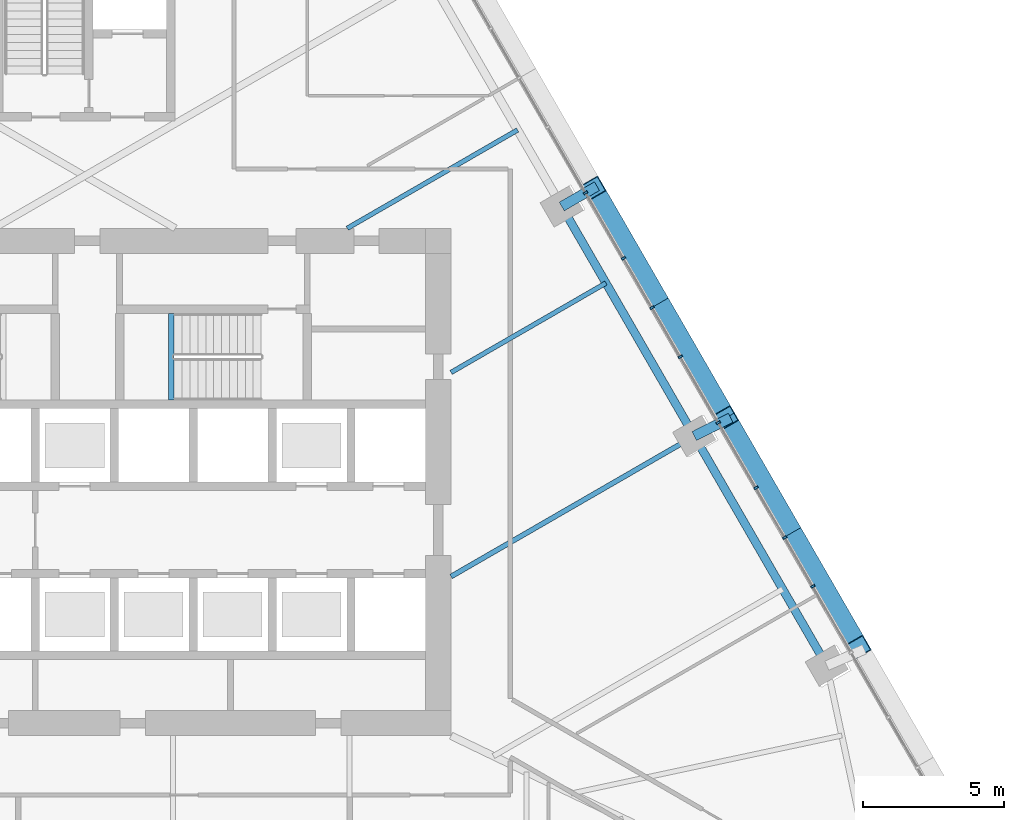
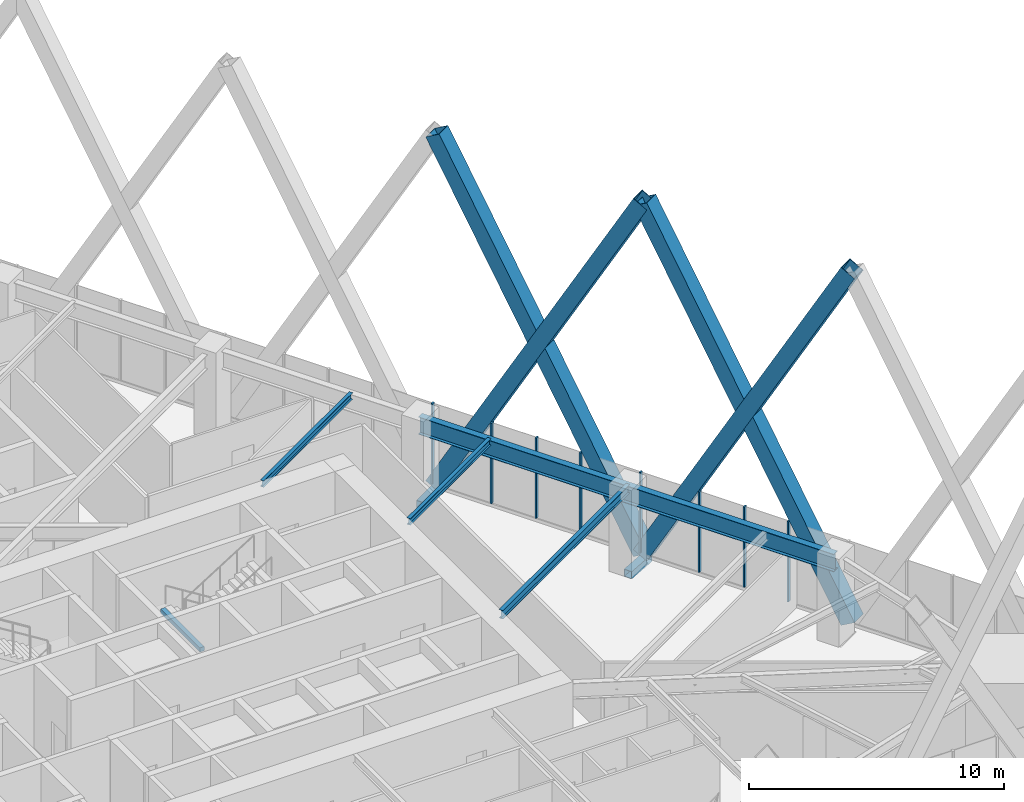
# One storey, part 8 of 21: 14 members, 5 beams, 1 element without a shape of its own.
"""IFC4 building model written with IfcOpenShell, lengths in metres."""

from ifc_helpers import new_model, si_unit, direction, frame, origin, origin_2d, place, context, subcontext, project, spatial, rectangle, hollow_rectangle, i_section, extrude, material, layer, layer_set, material_profile, profile_set, type_object, element, aggregate, save


model = new_model("IFC4")

# Units and contexts
model_context = context("Model", 3, precision=1e-05, world=origin(), true_north=direction((0.0, 1.0)))
body_context = subcontext(model_context, "Body", "Model", "MODEL_VIEW")
ifc_project = project(units=[si_unit("LENGTHUNIT", "METRE"), si_unit("AREAUNIT", "SQUARE_METRE"), si_unit("VOLUMEUNIT", "CUBIC_METRE"), si_unit("PLANEANGLEUNIT", "RADIAN"), si_unit("MASSUNIT", "GRAM", prefix="KILO")], contexts=[model_context])

# Site, building, storey
site_placement = place(None, origin())
site = spatial("IfcSite", under=ifc_project, at=site_placement, CompositionType="ELEMENT")
building_placement = place(site_placement, origin())
building = spatial("IfcBuilding", under=site, at=building_placement, Name="Firuza Gate Tower and Library", CompositionType="ELEMENT")
storey_placement = place(building_placement, frame((0.0, 0.0, 90.39990234375)))
storey = spatial("IfcBuildingStorey", under=building, at=storey_placement, Name="L20", CompositionType="ELEMENT", Elevation=90.39990234375)

# Members
ifc_material_1 = material(Name="Steel S355", Category="steel")
ifc_material_profile_1 = material_profile(ifc_material_1, hollow_rectangle(XDim=0.699951171875, YDim=0.699951171875, WallThickness=0.030029296875, at=origin_2d()))
ifc_profile_set_1 = profile_set([ifc_material_profile_1], Name="Steel S355")
member_type_1 = type_object("IfcMemberType", Name="BU700x700x30 Lattice brace", PredefinedType="BRACE", material=ifc_profile_set_1)
for number, where, z_axis, x_axis, name in (
    (1, (102.454833984375, 69.135009765625, 0.0), (-0.24420840192, 0.422983459052, 0.872609448608), (-0.866026478318, -0.499998138849, 0.0), "Lattice brace E 4.2R"),
    (2, (97.753173828125, 77.278564453125, 0.0), (0.24420840192, -0.422983459052, 0.872609448608), (0.866026478318, 0.499998138849, 0.0), "Lattice brace E 4.2L"),
    (3, (97.753173828125, 77.278564453125, 0.0), (-0.24420840192, 0.422983459052, 0.872609448608), (-0.866026478318, -0.499998138849, 0.0), "Lattice brace E 4.3R"),
    (4, (93.051513671875, 85.422119140625, 0.0), (0.24420840192, -0.422983459052, 0.872609448608), (0.866026478318, 0.499998138849, 0.0), "Lattice brace E 4.3L"),
):
    element("IfcMember", number, at=place(storey_placement, frame(where, z_axis=z_axis, x_axis=x_axis)), inside=storey, type_object=member_type_1, Name=name, PredefinedType="BRACE", context=body_context, shape_type="SweptSolid", body=[
        extrude(hollow_rectangle(XDim=0.699951171875, YDim=0.699951171875, WallThickness=0.030029296875, at=origin_2d()), origin(), (0.0, 0.0, 1.0), 19.252685546875),
    ])

# Curtain wall, members
ifc_material_2 = material(Name="Aluminium 6063-T6", Category="aluminium")
ifc_layer = layer(ifc_material_2, 0.14990234375)
ifc_layer_set = layer_set([ifc_layer], Name="Unitised curtain wall, offices")
curtain_wall_type = type_object("IfcCurtainWallType", Name="Unitised curtain wall, offices", PredefinedType="NOTDEFINED", material=ifc_layer_set)
curtain_wall_placement = place(storey_placement, origin())
curtain_wall = element("IfcCurtainWall", 5, at=curtain_wall_placement, inside=storey, type_object=curtain_wall_type, Name="CW1 L20 E face", PredefinedType="NOTDEFINED")
ifc_material_3 = material(Name="Aluminium 6063-T6", Category="aluminium")
ifc_material_profile_2 = material_profile(ifc_material_3, rectangle(XDim=0.14990234375, YDim=0.080078125, at=origin_2d()))
ifc_profile_set_2 = profile_set([ifc_material_profile_2], Name="Aluminium 6063-T6")
member_type_2 = type_object("IfcMemberType", Name="Curtain wall mullion 80x150", PredefinedType="MULLION", material=ifc_profile_set_2)
member_1_placement = place(storey_placement, frame((99.833251953125, 73.025390625, 0.150146484375), z_axis=(0.0, 0.0, 1.0), x_axis=(-0.866025403784, -0.5, 0.0)))
member_1 = element("IfcMember", 6, at=member_1_placement, type_object=member_type_2, Name="Mullion", PredefinedType="MULLION", context=body_context, shape_type="SweptSolid", body=[
    extrude(rectangle(XDim=0.14990234375, YDim=0.080078125, at=origin_2d()), origin(), (0.0, 0.0, 1.0), 3.849853515625),
])
member_2_placement = place(storey_placement, frame((97.47900390625, 77.103515625, 0.150146484375), z_axis=(0.0, 0.0, 1.0), x_axis=(-0.866025403784, -0.5, 0.0)))
member_2 = element("IfcMember", 7, at=member_2_placement, type_object=member_type_2, Name="Mullion", PredefinedType="MULLION", context=body_context, shape_type="SweptSolid", body=[
    extrude(rectangle(XDim=0.14990234375, YDim=0.080078125, at=origin_2d()), origin(), (0.0, 0.0, 1.0), 3.849853515625),
])
member_3_placement = place(storey_placement, frame((95.12451171875, 81.181396484375, 0.150146484375), z_axis=(0.0, 0.0, 1.0), x_axis=(-0.866025403784, -0.5, 0.0)))
member_3 = element("IfcMember", 8, at=member_3_placement, type_object=member_type_2, Name="Mullion", PredefinedType="MULLION", context=body_context, shape_type="SweptSolid", body=[
    extrude(rectangle(XDim=0.14990234375, YDim=0.080078125, at=origin_2d()), origin(), (0.0, 0.0, 1.0), 3.849853515625),
])
member_4_placement = place(storey_placement, frame((92.77001953125, 85.259521484375, 0.150146484375), z_axis=(0.0, 0.0, 1.0), x_axis=(-0.866025403784, -0.5, 0.0)))
member_4 = element("IfcMember", 9, at=member_4_placement, type_object=member_type_2, Name="Mullion", PredefinedType="MULLION", context=body_context, shape_type="SweptSolid", body=[
    extrude(rectangle(XDim=0.14990234375, YDim=0.080078125, at=origin_2d()), origin(), (0.0, 0.0, 1.0), 3.849853515625),
])
member_5_placement = place(storey_placement, frame((100.830810546875, 71.297607421875, 0.150146484375), z_axis=(0.0, 0.0, 1.0), x_axis=(-0.866025403784, -0.5, 0.0)))
member_5 = element("IfcMember", 10, at=member_5_placement, type_object=member_type_2, Name="Mullion", PredefinedType="MULLION", context=body_context, shape_type="SweptSolid", body=[
    extrude(rectangle(XDim=0.14990234375, YDim=0.080078125, at=origin_2d()), origin(), (0.0, 0.0, 1.0), 3.849853515625),
])
member_6_placement = place(storey_placement, frame((98.814208984375, 74.790771484375, 0.150146484375), z_axis=(0.0, 0.0, 1.0), x_axis=(-0.866025403784, -0.5, 0.0)))
member_6 = element("IfcMember", 11, at=member_6_placement, type_object=member_type_2, Name="Mullion", PredefinedType="MULLION", context=body_context, shape_type="SweptSolid", body=[
    extrude(rectangle(XDim=0.14990234375, YDim=0.080078125, at=origin_2d()), origin(), (0.0, 0.0, 1.0), 3.849853515625),
])
member_7_placement = place(storey_placement, frame((96.129150390625, 79.441162109375, 0.150146484375), z_axis=(0.0, 0.0, 1.0), x_axis=(-0.866025403784, -0.5, 0.0)))
member_7 = element("IfcMember", 12, at=member_7_placement, type_object=member_type_2, Name="Mullion", PredefinedType="MULLION", context=body_context, shape_type="SweptSolid", body=[
    extrude(rectangle(XDim=0.14990234375, YDim=0.080078125, at=origin_2d()), origin(), (0.0, 0.0, 1.0), 3.849853515625),
])
member_8_placement = place(storey_placement, frame((94.112548828125, 82.934326171875, 0.150146484375), z_axis=(0.0, 0.0, 1.0), x_axis=(-0.866025403784, -0.5, 0.0)))
member_8 = element("IfcMember", 13, at=member_8_placement, type_object=member_type_2, Name="Mullion", PredefinedType="MULLION", context=body_context, shape_type="SweptSolid", body=[
    extrude(rectangle(XDim=0.14990234375, YDim=0.080078125, at=origin_2d()), origin(), (0.0, 0.0, 1.0), 3.849853515625),
])
aggregate(curtain_wall, [member_1, member_2, member_3, member_4, member_5, member_6, member_7, member_8])

# Members
ifc_material_4 = material(Name="Steel S355", Category="steel")
ifc_material_profile_3 = material_profile(ifc_material_4, hollow_rectangle(XDim=0.355712890625, YDim=0.355712890625, WallThickness=0.014892578125, at=origin_2d()))
ifc_profile_set_3 = profile_set([ifc_material_profile_3], Name="Steel S355")
member_type_3 = type_object("IfcMemberType", Name="HSS356x356x16 Lattice node tie", PredefinedType="BRACE", material=ifc_profile_set_3)
member_9_placement = place(storey_placement, frame((91.925537109375, 84.77197265625, -0.31982421875), z_axis=(0.866036153491, 0.4999813805, 0.0), x_axis=(-0.4999813805, 0.866036153491, 0.0)))
element("IfcMember", 14, at=member_9_placement, inside=storey, type_object=member_type_3, Name="Lattice node tie E L20 67", PredefinedType="BRACE", context=body_context, shape_type="SweptSolid", body=[
    extrude(hollow_rectangle(XDim=0.355712890625, YDim=0.355712890625, WallThickness=0.014892578125, at=origin_2d()), origin(), (0.0, 0.0, 1.0), 1.44189453125),
])
member_10_placement = place(storey_placement, frame((96.627197265625, 76.62841796875, -0.31982421875), z_axis=(0.892968835192, 0.450118494817, 0.0), x_axis=(-0.450118494817, 0.892968835192, 0.0)))
element("IfcMember", 15, at=member_10_placement, inside=storey, type_object=member_type_3, Name="Lattice node tie E L20 68", PredefinedType="BRACE", context=body_context, shape_type="SweptSolid", body=[
    extrude(hollow_rectangle(XDim=0.355712890625, YDim=0.355712890625, WallThickness=0.014892578125, at=origin_2d()), origin(), (0.0, 0.0, 1.0), 1.4443359375),
])

# Beams
ifc_material_5 = material(Name="Concrete C35/45", Category="concrete")
ifc_material_profile_4 = material_profile(ifc_material_5, rectangle(XDim=0.199951171875, YDim=0.199951171875, at=origin_2d()))
ifc_profile_set_4 = profile_set([ifc_material_profile_4], Name="Concrete C35/45")
beam_type_1 = type_object("IfcBeamType", Name="Stair landing bearer 200x200", PredefinedType="BEAM", material=ifc_profile_set_4)
beam_1_placement = place(storey_placement, frame((78.080078125, 80.97998046875, 1.800048828125), z_axis=(0.0, -1.0, 0.0), x_axis=(1.0, 0.0, 0.0)))
element("IfcBeam", 16, at=beam_1_placement, inside=storey, type_object=beam_type_1, Name="Landing bearer L20 stair 2", PredefinedType="BEAM", context=body_context, shape_type="SweptSolid", body=[
    extrude(rectangle(XDim=0.199951171875, YDim=0.199951171875, at=origin_2d()), origin(), (0.0, 0.0, 1.0), 3.080078125),
])
ifc_material_6 = material(Name="Steel S355", Category="steel")
ifc_material_profile_5 = material_profile(ifc_material_6, i_section(OverallWidth=0.1650390625, OverallDepth=0.31005859375, WebThickness=0.005859375, FlangeThickness=0.009765625, at=origin_2d()))
ifc_profile_set_5 = profile_set([ifc_material_profile_5], Name="Steel S355")
beam_type_2 = type_object("IfcBeamType", Name="W310x39 Floor beam", PredefinedType="JOIST", material=ifc_profile_set_5)
beam_2_placement = place(storey_placement, frame((93.492919921875, 82.0576171875, 3.84521484375), z_axis=(-0.866022132074, -0.500005666725, 0.0), x_axis=(0.500005666725, -0.866022132074, 0.0)))
element("IfcBeam", 17, at=beam_2_placement, inside=storey, type_object=beam_type_2, Name="Floor beam L20 s52", PredefinedType="JOIST", context=body_context, shape_type="SweptSolid", body=[
    extrude(i_section(OverallWidth=0.1650390625, OverallDepth=0.31005859375, WebThickness=0.005859375, FlangeThickness=0.009765625, at=origin_2d()), origin(), (0.0, 0.0, 1.0), 6.3427734375),
])
beam_3_placement = place(storey_placement, frame((90.3583984375, 87.486572265625, 3.84521484375), z_axis=(-0.866021748659, -0.50000633081, 0.0), x_axis=(0.50000633081, -0.866021748659, 0.0)))
element("IfcBeam", 18, at=beam_3_placement, inside=storey, type_object=beam_type_2, Name="Floor beam L20 s53", PredefinedType="JOIST", context=body_context, shape_type="SweptSolid", body=[
    extrude(i_section(OverallWidth=0.1650390625, OverallDepth=0.31005859375, WebThickness=0.005859375, FlangeThickness=0.009765625, at=origin_2d()), origin(), (0.0, 0.0, 1.0), 6.97314453125),
])
ifc_material_7 = material(Name="Steel S355", Category="steel")
ifc_material_profile_6 = material_profile(ifc_material_7, i_section(OverallWidth=0.177978515625, OverallDepth=0.406982421875, WebThickness=0.0078125, FlangeThickness=0.0126953125, at=origin_2d()))
ifc_profile_set_6 = profile_set([ifc_material_profile_6], Name="Steel S355")
beam_type_3 = type_object("IfcBeamType", Name="W410x60 Floor beam", PredefinedType="JOIST", material=ifc_profile_set_6)
beam_4_placement = place(storey_placement, frame((96.627197265625, 76.62841796875, 3.796630859375), z_axis=(-0.866023562183, -0.500003189735, 0.0), x_axis=(0.500003189735, -0.866023562183, 0.0)))
element("IfcBeam", 19, at=beam_4_placement, inside=storey, type_object=beam_type_3, Name="Floor beam L20 s51", PredefinedType="JOIST", context=body_context, shape_type="SweptSolid", body=[
    extrude(i_section(OverallWidth=0.177978515625, OverallDepth=0.406982421875, WebThickness=0.0078125, FlangeThickness=0.0126953125, at=origin_2d()), origin(), (0.0, 0.0, 1.0), 9.9619140625),
])
ifc_material_8 = material(Name="Steel S355", Category="steel")
ifc_material_profile_7 = material_profile(ifc_material_8, i_section(OverallWidth=0.2919921875, OverallDepth=0.8349609375, WebThickness=0.013916015625, FlangeThickness=0.018798828125, at=origin_2d()))
ifc_profile_set_7 = profile_set([ifc_material_profile_7], Name="Steel S355")
beam_type_4 = type_object("IfcBeamType", Name="W840x176 Edge beam", PredefinedType="SPANDREL", material=ifc_profile_set_7)
beam_5_placement = place(storey_placement, frame((101.3291015625, 68.48486328125, 3.58251953125), z_axis=(-0.500007874956, 0.866020857129, 0.0), x_axis=(-0.866020857129, -0.500007874956, 0.0)))
element("IfcBeam", 20, at=beam_5_placement, inside=storey, type_object=beam_type_4, Name="Edge beam L20 e50", PredefinedType="SPANDREL", context=body_context, shape_type="SweptSolid", body=[
    extrude(i_section(OverallWidth=0.2919921875, OverallDepth=0.8349609375, WebThickness=0.013916015625, FlangeThickness=0.018798828125, at=origin_2d()), origin(), (0.0, 0.0, 1.0), 18.806884765625),
])

save(model, "model.ifc")
